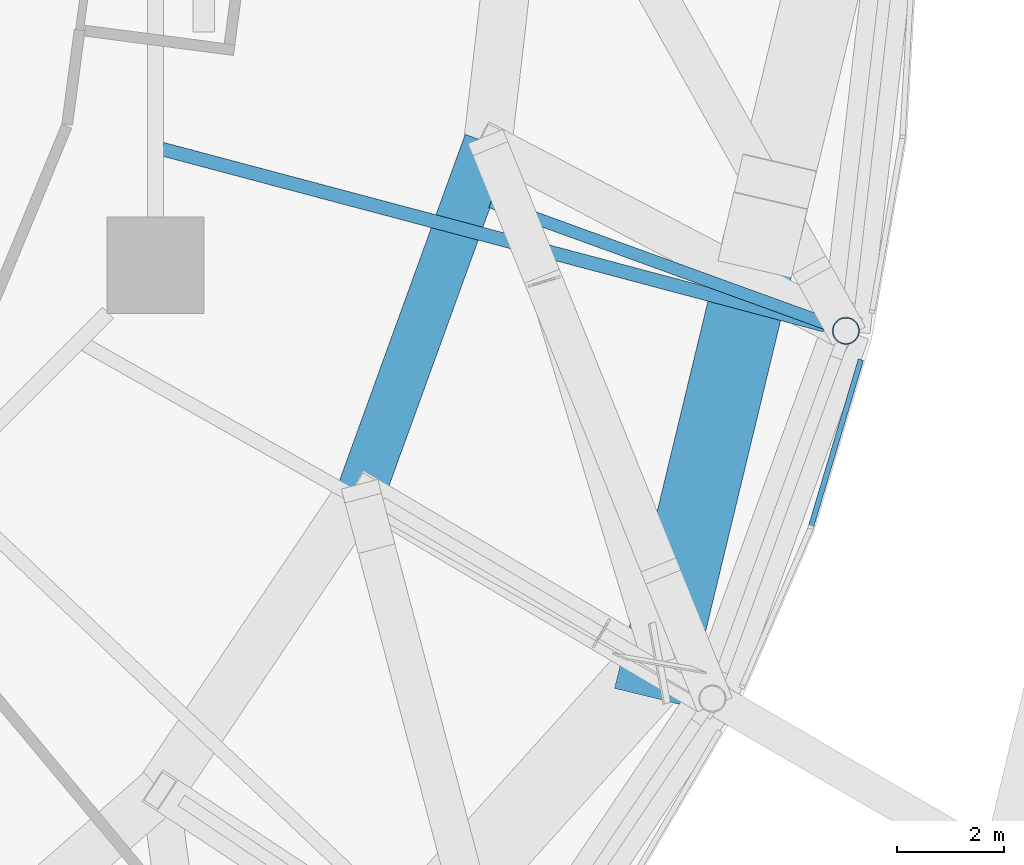
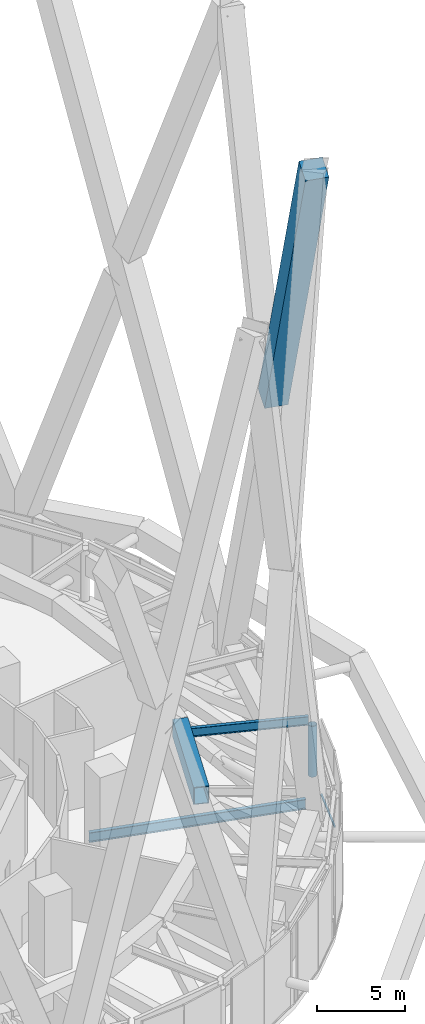
# One storey, part 23 of 60: 3 beams, 3 members, 1 element without a shape of its own.
"""IFC4 building model written with IfcOpenShell, lengths in metres."""

from ifc_helpers import new_model, si_unit, direction, frame, origin, origin_2d, place, context, subcontext, project, spatial, rectangle, hollow_rectangle, hollow_circle, i_section, extrude, material, layer, layer_set, material_profile, profile_set, type_object, element, aggregate, save


model = new_model("IFC4")

# Units and contexts
model_context = context("Model", 3, precision=1e-05, world=origin(), true_north=direction((0.0, 1.0)))
body_context = subcontext(model_context, "Body", "Model", "MODEL_VIEW")
ifc_project = project(units=[si_unit("LENGTHUNIT", "METRE"), si_unit("AREAUNIT", "SQUARE_METRE"), si_unit("VOLUMEUNIT", "CUBIC_METRE"), si_unit("PLANEANGLEUNIT", "RADIAN"), si_unit("MASSUNIT", "GRAM", prefix="KILO")], contexts=[model_context])

# Site, building, storey
site_placement = place(None, origin())
site = spatial("IfcSite", under=ifc_project, at=site_placement, CompositionType="ELEMENT")
building_placement = place(site_placement, origin())
building = spatial("IfcBuilding", under=site, at=building_placement, Name="Nagisa Residences", CompositionType="ELEMENT")
storey_placement = place(building_placement, frame((0.0, 0.0, 206.60009765625)))
storey = spatial("IfcBuildingStorey", under=building, at=storey_placement, Name="L52", CompositionType="ELEMENT", Elevation=206.60009765625)

# Beam
ifc_material_1 = material(Name="Steel ASTM A572 Gr 50", Category="steel")
ifc_material_profile_1 = material_profile(ifc_material_1, hollow_rectangle(XDim=0.89990234375, YDim=1.199951171875, WallThickness=0.044921875, at=origin_2d()), Name="BX 900x1200x45")
ifc_profile_set_1 = profile_set([ifc_material_profile_1], Name="Steel ASTM A572 Gr 50")
beam_type_1 = type_object("IfcBeamType", Name="Belt chord 4 BX 900x1200x45", PredefinedType="BEAM", material=ifc_profile_set_1)
beam_1_placement = place(storey_placement, frame((18.6123046875, -10.327392578125, 4.739990234375), z_axis=(0.341254340282, 0.93997099702, 0.0), x_axis=(-0.93997099702, 0.341254340282, 0.0)))
element("IfcBeam", 1, at=beam_1_placement, inside=storey, type_object=beam_type_1, Name="beam:L52:bt4t23", PredefinedType="BEAM", context=body_context, shape_type="SweptSolid", body=[
    extrude(hollow_rectangle(XDim=0.89990234375, YDim=1.199951171875, WallThickness=0.044921875, at=origin_2d()), origin(), (0.0, 0.0, 1.0), 6.8994140625),
])

# Curtain wall, member
ifc_material_2 = material(Name="Aluminium curtain wall system", Category="aluminium")
ifc_layer = layer(ifc_material_2, 0.159912109375)
ifc_layer_set = layer_set([ifc_layer], Name="CW5 CURTAIN WALL")
curtain_wall_type = type_object("IfcCurtainWallType", Name="CW5 CURTAIN WALL", PredefinedType="NOTDEFINED", material=ifc_layer_set)
curtain_wall_placement = place(storey_placement, origin())
curtain_wall = element("IfcCurtainWall", 2, at=curtain_wall_placement, inside=storey, type_object=curtain_wall_type, Name="cw:CW5:L52:45", PredefinedType="NOTDEFINED")
ifc_material_3 = material(Name="Aluminium", Category="aluminium")
ifc_material_profile_2 = material_profile(ifc_material_3, rectangle(XDim=0.10009765625, YDim=0.1201171875, at=origin_2d()), Name="CW5 TRANSOM 100x120")
ifc_profile_set_2 = profile_set([ifc_material_profile_2], Name="Aluminium")
member_type_1 = type_object("IfcMemberType", Name="CW5 TRANSOM 100x120", PredefinedType="USERDEFINED", material=ifc_profile_set_2)
member_1_placement = place(storey_placement, frame((26.966796875, -11.027099609375, 0.059814453125), z_axis=(0.285853055917, 0.958273463278, 0.0), x_axis=(-0.958273463278, 0.285853055917, 0.0)))
member_1 = element("IfcMember", 3, at=member_1_placement, type_object=member_type_1, Name="CW5 transom", ObjectType="TRANSOM", PredefinedType="USERDEFINED", context=body_context, shape_type="SweptSolid", body=[
    extrude(rectangle(XDim=0.10009765625, YDim=0.1201171875, at=origin_2d()), origin(), (0.0, 0.0, 1.0), 3.2822265625),
])
aggregate(curtain_wall, [member_1])

# Members
ifc_material_4 = material(Name="Concrete C80", Category="concrete")
ifc_material_profile_3 = material_profile(ifc_material_4, rectangle(XDim=1.39990234375, YDim=1.39990234375, at=origin_2d()), Name="C80 1400x1400")
ifc_profile_set_3 = profile_set([ifc_material_profile_3], Name="Concrete C80")
member_type_2 = type_object("IfcMemberType", Name="Cage diagonal 5 C80 1400x1400", PredefinedType="BRACE", material=ifc_profile_set_3)
member_2_placement = place(storey_placement, frame((26.076171875, -5.5625, 26.90576171875), z_axis=(-0.084211999338, -0.349089233341, 0.933297940817), x_axis=(0.972114541375, -0.234506542442, 0.0)))
element("IfcMember", 4, at=member_2_placement, inside=storey, type_object=member_type_2, Name="mem:L52:cg5d024b", PredefinedType="BRACE", context=body_context, shape_type="SweptSolid", body=[
    extrude(rectangle(XDim=1.39990234375, YDim=1.39990234375, at=origin_2d()), origin(), (0.0, 0.0, 1.0), 22.816162109375),
])
ifc_material_5 = material(Name="Steel ASTM A572 Gr 65", Category="steel")
ifc_material_profile_4 = material_profile(ifc_material_5, hollow_circle(Radius=0.25390625, WallThickness=0.02001953125, at=origin_2d()), Name="CHS 508x20")
ifc_profile_set_4 = profile_set([ifc_material_profile_4], Name="Steel ASTM A572 Gr 65")
member_type_3 = type_object("IfcMemberType", Name="Garden edge post CHS 508x20", PredefinedType="POST", material=ifc_profile_set_4)
member_3_placement = place(storey_placement, frame((27.62744140625, -7.343994140625, 1.199951171875), z_axis=(0.0, 0.0, 1.0), x_axis=(1.0, 0.0, 0.0)))
element("IfcMember", 5, at=member_3_placement, inside=storey, type_object=member_type_3, Name="mem:L52:gp424", PredefinedType="POST", context=body_context, shape_type="SweptSolid", body=[
    extrude(hollow_circle(Radius=0.25390625, WallThickness=0.02001953125, at=origin_2d()), origin(), (0.0, 0.0, 1.0), 3.536865234375),
])

# Beams
ifc_material_6 = material(Name="Steel ASTM A572 Gr 50", Category="steel")
ifc_material_profile_5 = material_profile(ifc_material_6, i_section(OverallWidth=0.22802734375, OverallDepth=0.60302734375, WebThickness=0.010498046875, FlangeThickness=0.014892578125, at=origin_2d()), Name="W610x101")
ifc_profile_set_5 = profile_set([ifc_material_profile_5], Name="Steel ASTM A572 Gr 50")
beam_type_2 = type_object("IfcBeamType", Name="Garden radial beam W610x101", PredefinedType="BEAM", material=ifc_profile_set_5)
beam_2_placement = place(storey_placement, frame((27.407470703125, -7.26416015625, 5.038330078125), z_axis=(-0.939963331191, 0.341275454753, 0.0), x_axis=(-0.341275454753, -0.939963331191, 0.0)))
element("IfcBeam", 6, at=beam_2_placement, inside=storey, type_object=beam_type_2, Name="beam:L52:bt4gr24", PredefinedType="BEAM", context=body_context, shape_type="SweptSolid", body=[
    extrude(i_section(OverallWidth=0.22802734375, OverallDepth=0.60302734375, WebThickness=0.010498046875, FlangeThickness=0.014892578125, at=origin_2d()), origin(), (0.0, 0.0, 1.0), 6.791748046875),
])
ifc_material_7 = material(Name="Steel ASTM A572 Gr 50", Category="steel")
ifc_material_profile_6 = material_profile(ifc_material_7, i_section(OverallWidth=0.25390625, OverallDepth=0.68408203125, WebThickness=0.012451171875, FlangeThickness=0.018798828125, at=origin_2d()), Name="W690x140")
ifc_profile_set_6 = profile_set([ifc_material_profile_6], Name="Steel ASTM A572 Gr 50")
beam_type_3 = type_object("IfcBeamType", Name="Radial beam W690x140", PredefinedType="BEAM", material=ifc_profile_set_6)
beam_3_placement = place(storey_placement, frame((27.23583984375, -7.239990234375, -0.692138671875), z_axis=(-0.966437322462, 0.256902514103, 0.0), x_axis=(-0.256902514103, -0.966437322462, 0.0)))
element("IfcBeam", 7, at=beam_3_placement, inside=storey, type_object=beam_type_3, Name="beam:L52:rb24", PredefinedType="BEAM", context=body_context, shape_type="SweptSolid", body=[
    extrude(i_section(OverallWidth=0.25390625, OverallDepth=0.68408203125, WebThickness=0.012451171875, FlangeThickness=0.018798828125, at=origin_2d()), origin(), (0.0, 0.0, 1.0), 12.755126953125),
])

save(model, "model.ifc")
